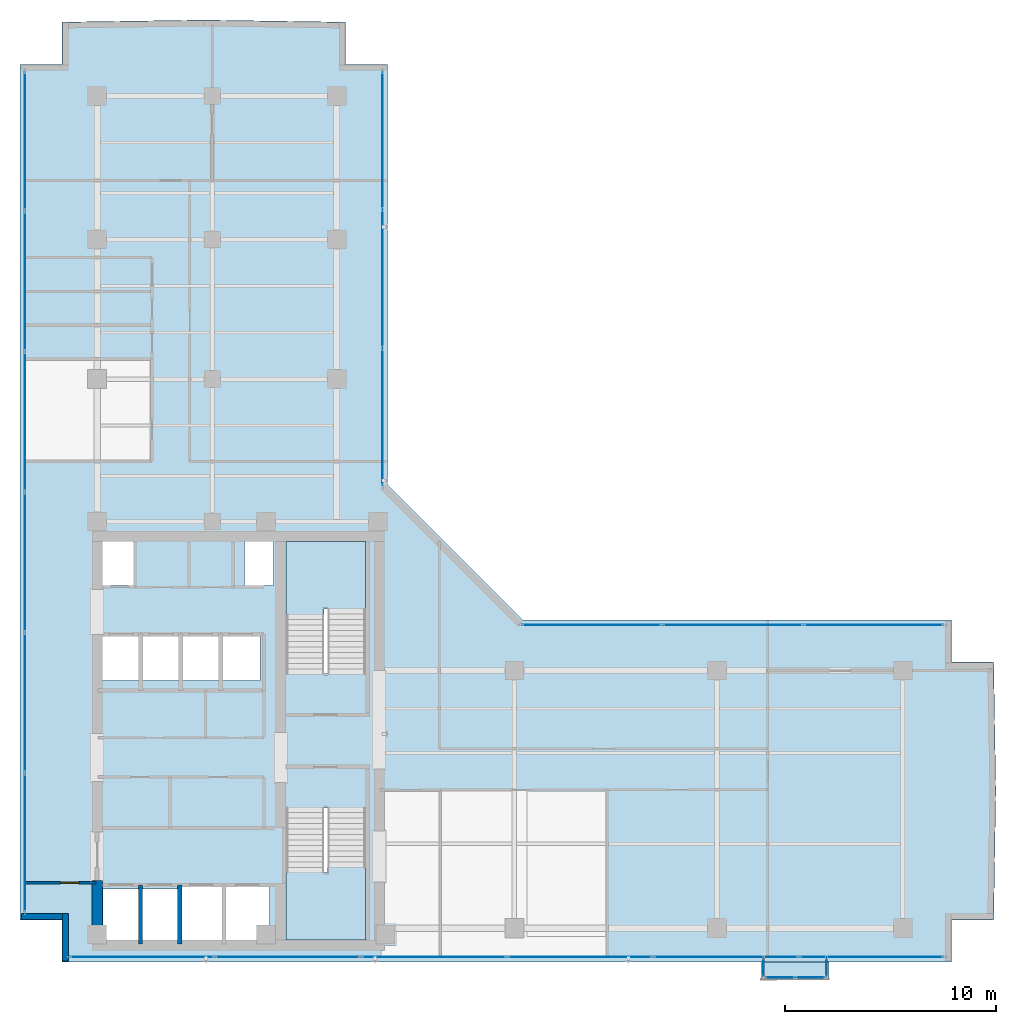
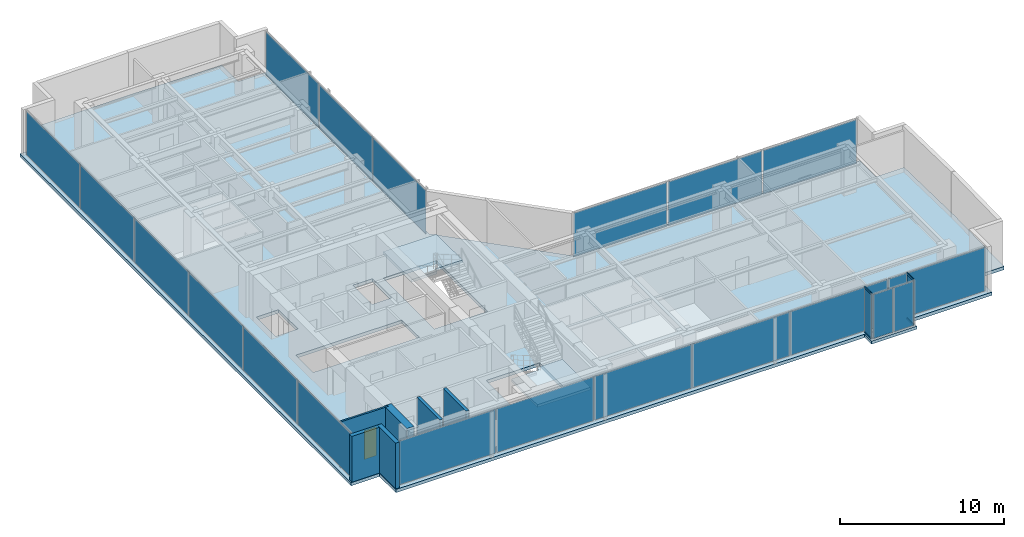
# One storey, part 15 of 23: 22 plates, 6 walls, 4 members, 4 slabs, 1 door, 1 opening, 9 elements without a shape of their own.
"""IFC4 building model written with IfcOpenShell, lengths in metres."""

from ifc_helpers import new_model, si_unit, direction, frame, frame_2d, origin, origin_with_axes, origin_2d, place, context, subcontext, project, spatial, polyline, rectangle, hollow_rectangle, outline, extrude, source, transform, mapped, material, layer, layer_set, material_profile, profile_set, type_object, element, fill, aggregate, save


model = new_model("IFC4")

# Units and contexts
model_context = context("Model", 3, precision=1e-05, world=origin(), true_north=direction((0.0, 1.0)))
body_context = subcontext(model_context, "Body", "Model", "MODEL_VIEW")
ifc_project = project(units=[si_unit("LENGTHUNIT", "METRE"), si_unit("AREAUNIT", "SQUARE_METRE"), si_unit("VOLUMEUNIT", "CUBIC_METRE"), si_unit("PLANEANGLEUNIT", "RADIAN"), si_unit("MASSUNIT", "GRAM", prefix="KILO")], contexts=[model_context])

# Site, building, storey
site_placement = place(None, origin())
site = spatial("IfcSite", under=ifc_project, at=site_placement, CompositionType="ELEMENT")
building_placement = place(site_placement, origin())
building = spatial("IfcBuilding", under=site, at=building_placement, Name="Kolvaren Waterfront Exchange", CompositionType="ELEMENT")
storey_placement = place(building_placement, frame((0.0, 0.0, 335.0)))
storey = spatial("IfcBuildingStorey", under=building, at=storey_placement, Name="L86", CompositionType="ELEMENT", Elevation=335.0)

# Curtain wall, members
ifc_material_1 = material(Name="Anodised bronze aluminium 6063-T6", Category="aluminium")
ifc_layer_1 = layer(ifc_material_1, 0.219970703125, Name="Anodised bronze aluminium 6063-T6")
ifc_layer_set_1 = layer_set([ifc_layer_1], Name="Anodised bronze aluminium 6063-T6")
curtain_wall_type_1 = type_object("IfcCurtainWallType", Name="ARC-CW-SYS3", PredefinedType="USERDEFINED", material=ifc_layer_set_1)
curtain_wall_1_placement = place(storey_placement, origin())
curtain_wall_1 = element("IfcCurtainWall", 1, at=curtain_wall_1_placement, inside=storey, type_object=curtain_wall_type_1, Name="L86 stick curtain wall CW3 (CW-L86-BOX-W)", ObjectType="STICK CURTAIN WALL", PredefinedType="USERDEFINED")
ifc_material_profile = material_profile(ifc_material_1, hollow_rectangle(XDim=0.06494140625, YDim=0.1298828125, WallThickness=0.00390625, at=origin_2d()), Name="ALU-TRN-130x65x4")
ifc_profile_set = profile_set([ifc_material_profile], Name="Anodised bronze aluminium 6063-T6")
member_type = type_object("IfcMemberType", Name="ARC-CWT-130", PredefinedType="USERDEFINED", material=ifc_profile_set)
shared_shape_1 = source(origin_with_axes(), body_context, "Body", "SweptSolid", [
    extrude(hollow_rectangle(XDim=0.06494140625, YDim=0.1298828125, WallThickness=0.00390625, at=origin_2d()), origin(), (0.0, 0.0, 1.0), 0.829833984375),
])
member_1_placement = place(storey_placement, frame((39.010009765625, 3.764892578125, 0.032470703125), z_axis=(0.0, -1.0, 0.0), x_axis=(1.0, 0.0, 0.0)))
member_1 = element("IfcMember", 2, at=member_1_placement, type_object=member_type, Name="CW3 transom 1.1", ObjectType="TRANSOM", PredefinedType="USERDEFINED", context=body_context, shape_type="MappedRepresentation", body=[
    mapped(shared_shape_1, transform((0.0, 0.0, 0.0), x_axis=(1.0, 0.0, 0.0), y_axis=(0.0, 1.0, 0.0), z_axis=(0.0, 0.0, 1.0), scale=1.0)),
])
member_2_placement = place(storey_placement, frame((39.010009765625, 3.764892578125, 3.387451171875), z_axis=(0.0, -1.0, 0.0), x_axis=(1.0, 0.0, 0.0)))
member_2 = element("IfcMember", 3, at=member_2_placement, type_object=member_type, Name="CW3 transom 1.2", ObjectType="TRANSOM", PredefinedType="USERDEFINED", context=body_context, shape_type="MappedRepresentation", body=[
    mapped(shared_shape_1, transform((0.0, 0.0, 0.0), x_axis=(1.0, 0.0, 0.0), y_axis=(0.0, 1.0, 0.0), z_axis=(0.0, 0.0, 1.0), scale=1.0)),
])

curtain_wall_2_placement = place(storey_placement, origin())
curtain_wall_2 = element("IfcCurtainWall", 4, at=curtain_wall_2_placement, inside=storey, type_object=curtain_wall_type_1, Name="L86 stick curtain wall CW3 (CW-L86-BOX-E)", ObjectType="STICK CURTAIN WALL", PredefinedType="USERDEFINED")
member_3_placement = place(storey_placement, frame((41.989990234375, 2.93505859375, 0.032470703125), z_axis=(0.0, 1.0, 0.0), x_axis=(-1.0, 0.0, 0.0)))
member_3 = element("IfcMember", 5, at=member_3_placement, type_object=member_type, Name="CW3 transom 1.1", ObjectType="TRANSOM", PredefinedType="USERDEFINED", context=body_context, shape_type="MappedRepresentation", body=[
    mapped(shared_shape_1, transform((0.0, 0.0, 0.0), x_axis=(1.0, 0.0, 0.0), y_axis=(0.0, 1.0, 0.0), z_axis=(0.0, 0.0, 1.0), scale=1.0)),
])
member_4_placement = place(storey_placement, frame((41.989990234375, 2.93505859375, 3.387451171875), z_axis=(0.0, 1.0, 0.0), x_axis=(-1.0, 0.0, 0.0)))
member_4 = element("IfcMember", 6, at=member_4_placement, type_object=member_type, Name="CW3 transom 1.2", ObjectType="TRANSOM", PredefinedType="USERDEFINED", context=body_context, shape_type="MappedRepresentation", body=[
    mapped(shared_shape_1, transform((0.0, 0.0, 0.0), x_axis=(1.0, 0.0, 0.0), y_axis=(0.0, 1.0, 0.0), z_axis=(0.0, 0.0, 1.0), scale=1.0)),
])

# Stair, slab
ifc_material_2 = material(Name="Concrete C40/50", Category="concrete")
stair_type = type_object("IfcStairType", Name="ARC-STAIR-3800", PredefinedType="HALF_TURN_STAIR", material=ifc_material_2)
stair_1_placement = place(storey_placement, origin())
stair_1 = element("IfcStair", 7, at=stair_1_placement, inside=storey, type_object=stair_type, Name="L86 Smoke-proof exit stair ST1", PredefinedType="HALF_TURN_STAIR")
ifc_layer_2 = layer(ifc_material_2, 0.199951171875, Name="Concrete C40/50")
ifc_layer_set_2 = layer_set([ifc_layer_2], Name="Concrete C40/50")
slab_type_1 = type_object("IfcSlabType", Name="STR-LANDING-200", PredefinedType="LANDING", material=ifc_layer_set_2)
slab_1_placement = place(storey_placement, frame((0.0, 0.0, 1.77587890625)))
slab_1 = element("IfcSlab", 8, at=slab_1_placement, type_object=slab_type_1, Name="ST1 landing 1", PredefinedType="LANDING", context=body_context, shape_type="SweptSolid", body=[
    extrude(outline(polyline([(16.39990234375, 7.840087890625), (16.39990234375, 4.64990234375), (20.159912109375, 4.64990234375), (20.159912109375, 8.10009765625), (18.360107421875, 8.10009765625), (18.360107421875, 7.840087890625), (16.39990234375, 7.840087890625)])), origin(), (0.0, 0.0, 1.0), 0.2001953125),
])
aggregate(stair_1, [slab_1])

stair_2_placement = place(storey_placement, origin())
stair_2 = element("IfcStair", 9, at=stair_2_placement, inside=storey, type_object=stair_type, Name="L86 Smoke-proof exit stair ST2", PredefinedType="HALF_TURN_STAIR")
slab_2_placement = place(storey_placement, frame((0.0, 0.0, 1.77587890625)))
slab_2 = element("IfcSlab", 10, at=slab_2_placement, type_object=slab_type_1, Name="ST2 landing 1", PredefinedType="LANDING", context=body_context, shape_type="SweptSolid", body=[
    extrude(outline(polyline([(20.159912109375, 20.31005859375), (20.159912109375, 23.5), (16.39990234375, 23.5), (16.39990234375, 20.050048828125), (18.199951171875, 20.050048828125), (18.199951171875, 20.31005859375), (20.159912109375, 20.31005859375)])), origin(), (0.0, 0.0, 1.0), 0.2001953125),
])
aggregate(stair_2, [slab_2])

# Slabs
ifc_layer_3 = layer(ifc_material_2, 0.239990234375, Name="Concrete C40/50")
ifc_layer_set_3 = layer_set([ifc_layer_3], Name="Concrete C40/50")
slab_type_2 = type_object("IfcSlabType", Name="STR-SLAB-240", PredefinedType="FLOOR", material=ifc_layer_set_3)
slab_3_placement = place(storey_placement, frame((0.0, 0.0, -0.239990234375)))
element("IfcSlab", 11, at=slab_3_placement, inside=storey, type_object=slab_type_2, Name="L86 structural floor slab", PredefinedType="FLOOR", context=body_context, shape_type="SweptSolid", body=[
    extrude(outline(polyline([(5.800048828125, 3.60009765625), (47.89990234375, 3.60009765625), (47.89990234375, 5.60009765625), (49.89990234375, 5.60009765625), (50.0, 11.699951171875), (49.89990234375, 17.800048828125), (47.89990234375, 17.800048828125), (47.89990234375, 19.800048828125), (27.60009765625, 19.800048828125), (21.199951171875, 26.199951171875), (21.199951171875, 46.10009765625), (19.199951171875, 46.10009765625), (19.199951171875, 48.10009765625), (12.5, 48.199951171875), (5.800048828125, 48.10009765625), (5.800048828125, 46.10009765625), (3.800048828125, 46.10009765625), (3.800048828125, 5.60009765625), (5.800048828125, 5.60009765625), (5.800048828125, 3.60009765625)]), holes=[polyline([(11.320068359375, 7.260009765625), (15.610107421875, 7.260009765625), (15.610107421875, 4.5400390625), (7.719970703125, 4.5400390625), (7.719970703125, 7.06005859375), (11.320068359375, 7.06005859375), (11.320068359375, 7.260009765625)]), polyline([(20.159912109375, 10.89990234375), (20.159912109375, 4.64990234375), (16.39990234375, 4.64990234375), (16.39990234375, 10.89990234375), (20.159912109375, 10.89990234375)]), polyline([(7.669921875, 19.06005859375), (15.159912109375, 19.06005859375), (15.159912109375, 16.93994140625), (7.669921875, 16.93994140625), (7.669921875, 19.06005859375)]), polyline([(16.39990234375, 17.25), (16.39990234375, 23.5), (20.159912109375, 23.5), (20.159912109375, 17.25), (16.39990234375, 17.25)]), polyline([(7.60009765625, 23.780029296875), (9.179931640625, 23.780029296875), (9.179931640625, 21.419921875), (7.60009765625, 21.419921875), (7.60009765625, 23.780029296875)]), polyline([(14.419921875, 23.780029296875), (15.800048828125, 23.780029296875), (15.800048828125, 21.419921875), (14.419921875, 21.419921875), (14.419921875, 23.780029296875)])]), origin(), (0.0, 0.0, 1.0), 0.239990234375),
])
ifc_layer_4 = layer(ifc_material_2, 0.219970703125, Name="Concrete C40/50")
ifc_layer_set_4 = layer_set([ifc_layer_4], Name="Concrete C40/50")
slab_type_3 = type_object("IfcSlabType", Name="STR-TERR-220", PredefinedType="FLOOR", material=ifc_layer_set_4)
slab_4_placement = place(storey_placement, frame((0.0, 0.0, -0.219970703125)))
element("IfcSlab", 12, at=slab_4_placement, inside=storey, type_object=slab_type_3, Name="L86 projecting bay-box floor strip", PredefinedType="FLOOR", context=body_context, shape_type="SweptSolid", body=[
    extrude(outline(polyline([(38.89990234375, 2.75), (42.10009765625, 2.75), (42.10009765625, 3.60009765625), (38.89990234375, 3.60009765625), (38.89990234375, 2.75)])), origin(), (0.0, 0.0, 1.0), 0.219970703125),
])

# Plate
ifc_material_3 = material(Name="Bronze tinted bay-box vision glass", Category="aluminium")
ifc_layer_5 = layer(ifc_material_3, 0.02392578125, Name="Bronze tinted bay-box vision glass")
ifc_layer_set_5 = layer_set([ifc_layer_5], Name="Bronze tinted bay-box vision glass")
plate_type_1 = type_object("IfcPlateType", Name="ARC-CWP-24", PredefinedType="CURTAIN_PANEL", material=ifc_layer_set_5)
shared_shape_2 = source(origin_with_axes(), body_context, "Body", "SweptSolid", [
    extrude(rectangle(XDim=0.830078125, YDim=0.02392578125, at=origin_2d()), origin(), (0.0, 0.0, 1.0), 3.2900390625),
])
plate_1_placement = place(storey_placement, frame((39.010009765625, 3.35009765625, 0.06494140625), z_axis=(0.0, 0.0, 1.0), x_axis=(0.0, -1.0, 0.0)))
plate_1 = element("IfcPlate", 13, at=plate_1_placement, type_object=plate_type_1, Name="CW3 panel 1.1", PredefinedType="CURTAIN_PANEL", context=body_context, shape_type="MappedRepresentation", body=[
    mapped(shared_shape_2, transform((0.0, 0.0, 0.0), x_axis=(1.0, 0.0, 0.0), y_axis=(0.0, 1.0, 0.0), z_axis=(0.0, 0.0, 1.0), scale=1.0)),
])

aggregate(curtain_wall_1, [member_1, member_2, plate_1])

plate_2_placement = place(storey_placement, frame((41.989990234375, 3.35009765625, 0.06494140625), z_axis=(0.0, 0.0, 1.0), x_axis=(0.0, 1.0, 0.0)))
plate_2 = element("IfcPlate", 14, at=plate_2_placement, type_object=plate_type_1, Name="CW3 panel 1.1", PredefinedType="CURTAIN_PANEL", context=body_context, shape_type="MappedRepresentation", body=[
    mapped(shared_shape_2, transform((0.0, 0.0, 0.0), x_axis=(1.0, 0.0, 0.0), y_axis=(0.0, 1.0, 0.0), z_axis=(0.0, 0.0, 1.0), scale=1.0)),
])

aggregate(curtain_wall_2, [member_3, member_4, plate_2])

# Curtain wall, plates
curtain_wall_3_placement = place(storey_placement, origin())
curtain_wall_3 = element("IfcCurtainWall", 15, at=curtain_wall_3_placement, inside=storey, type_object=curtain_wall_type_1, Name="L86 stick curtain wall CW3 (CW-L86-BOX)", ObjectType="STICK CURTAIN WALL", PredefinedType="USERDEFINED")
shared_shape_3 = source(origin_with_axes(), body_context, "Body", "SweptSolid", [
    extrude(rectangle(XDim=1.37744140625, YDim=0.02392578125, at=origin_2d()), origin(), (0.0, 0.0, 1.0), 3.2900390625),
])
plate_3_placement = place(storey_placement, frame((39.773681640625, 2.860107421875, 0.06494140625), z_axis=(0.0, 0.0, 1.0), x_axis=(1.0, 0.0, 0.0)))
plate_3 = element("IfcPlate", 16, at=plate_3_placement, type_object=plate_type_1, Name="CW3 panel 1.1", PredefinedType="CURTAIN_PANEL", context=body_context, shape_type="MappedRepresentation", body=[
    mapped(shared_shape_3, transform((0.0, 0.0, 0.0), x_axis=(1.0, 0.0, 0.0), y_axis=(0.0, 1.0, 0.0), z_axis=(0.0, 0.0, 1.0), scale=1.0)),
])
plate_4_placement = place(storey_placement, frame((41.226318359375, 2.860107421875, 0.06494140625), z_axis=(0.0, 0.0, 1.0), x_axis=(1.0, 0.0, 0.0)))
plate_4 = element("IfcPlate", 17, at=plate_4_placement, type_object=plate_type_1, Name="CW3 panel 2.1", PredefinedType="CURTAIN_PANEL", context=body_context, shape_type="MappedRepresentation", body=[
    mapped(shared_shape_3, transform((0.0, 0.0, 0.0), x_axis=(1.0, 0.0, 0.0), y_axis=(0.0, 1.0, 0.0), z_axis=(0.0, 0.0, 1.0), scale=1.0)),
])
aggregate(curtain_wall_3, [plate_3, plate_4])

ifc_layer_6 = layer(ifc_material_1, 0.219970703125, Name="Anodised bronze aluminium 6063-T6")
ifc_layer_set_6 = layer_set([ifc_layer_6], Name="Anodised bronze aluminium 6063-T6")
curtain_wall_type_2 = type_object("IfcCurtainWallType", Name="ARC-CW-SYS1", PredefinedType="USERDEFINED", material=ifc_layer_set_6)
curtain_wall_4_placement = place(storey_placement, origin())
curtain_wall_4 = element("IfcCurtainWall", 18, at=curtain_wall_4_placement, inside=storey, type_object=curtain_wall_type_2, Name="L86 stick curtain wall CW1 (CW-L86-S)", ObjectType="STICK CURTAIN WALL", PredefinedType="USERDEFINED")
ifc_material_4 = material(Name="Bronze solar control vision glass", Category="aluminium")
ifc_layer_7 = layer(ifc_material_4, 0.028076171875, Name="Bronze solar control vision glass")
ifc_layer_set_7 = layer_set([ifc_layer_7], Name="Bronze solar control vision glass")
plate_type_2 = type_object("IfcPlateType", Name="ARC-CWP-28", PredefinedType="CURTAIN_PANEL", material=ifc_layer_set_7)
shared_shape_4 = source(origin_with_axes(), body_context, "Body", "SweptSolid", [
    extrude(rectangle(XDim=6.796630859375, YDim=0.028076171875, at=origin_2d()), origin(), (0.0, 0.0, 1.0), 3.27001953125),
])
plate_5_placement = place(storey_placement, frame((9.578369140625, 3.840087890625, 0.074951171875), z_axis=(0.0, 0.0, 1.0), x_axis=(1.0, 0.0, 0.0)))
plate_5 = element("IfcPlate", 19, at=plate_5_placement, type_object=plate_type_2, Name="CW1 panel 1.1", PredefinedType="CURTAIN_PANEL", context=body_context, shape_type="MappedRepresentation", body=[
    mapped(shared_shape_4, transform((0.0, 0.0, 0.0), x_axis=(1.0, 0.0, 0.0), y_axis=(0.0, 1.0, 0.0), z_axis=(0.0, 0.0, 1.0), scale=1.0)),
])
plate_6_placement = place(storey_placement, frame((44.12158203125, 3.840087890625, 0.074951171875), z_axis=(0.0, 0.0, 1.0), x_axis=(1.0, 0.0, 0.0)))
plate_6 = element("IfcPlate", 20, at=plate_6_placement, type_object=plate_type_2, Name="CW1 panel 6.1", PredefinedType="CURTAIN_PANEL", context=body_context, shape_type="MappedRepresentation", body=[
    mapped(shared_shape_4, transform((0.0, 0.0, 0.0), x_axis=(1.0, 0.0, 0.0), y_axis=(0.0, 1.0, 0.0), z_axis=(0.0, 0.0, 1.0), scale=1.0)),
])
shared_shape_5 = source(origin_with_axes(), body_context, "Body", "SweptSolid", [
    extrude(rectangle(XDim=6.836669921875, YDim=0.028076171875, at=origin_2d()), origin(), (0.0, 0.0, 1.0), 3.27001953125),
])
plate_7_placement = place(storey_placement, frame((16.47509765625, 3.840087890625, 0.074951171875), z_axis=(0.0, 0.0, 1.0), x_axis=(1.0, 0.0, 0.0)))
plate_7 = element("IfcPlate", 21, at=plate_7_placement, type_object=plate_type_2, Name="CW1 panel 2.1", PredefinedType="CURTAIN_PANEL", context=body_context, shape_type="MappedRepresentation", body=[
    mapped(shared_shape_5, transform((0.0, 0.0, 0.0), x_axis=(1.0, 0.0, 0.0), y_axis=(0.0, 1.0, 0.0), z_axis=(0.0, 0.0, 1.0), scale=1.0)),
])
plate_8_placement = place(storey_placement, frame((23.3916015625, 3.840087890625, 0.074951171875), z_axis=(0.0, 0.0, 1.0), x_axis=(1.0, 0.0, 0.0)))
plate_8 = element("IfcPlate", 22, at=plate_8_placement, type_object=plate_type_2, Name="CW1 panel 3.1", PredefinedType="CURTAIN_PANEL", context=body_context, shape_type="MappedRepresentation", body=[
    mapped(shared_shape_5, transform((0.0, 0.0, 0.0), x_axis=(1.0, 0.0, 0.0), y_axis=(0.0, 1.0, 0.0), z_axis=(0.0, 0.0, 1.0), scale=1.0)),
])
plate_9_placement = place(storey_placement, frame((30.308349609375, 3.840087890625, 0.074951171875), z_axis=(0.0, 0.0, 1.0), x_axis=(1.0, 0.0, 0.0)))
plate_9 = element("IfcPlate", 23, at=plate_9_placement, type_object=plate_type_2, Name="CW1 panel 4.1", PredefinedType="CURTAIN_PANEL", context=body_context, shape_type="MappedRepresentation", body=[
    mapped(shared_shape_5, transform((0.0, 0.0, 0.0), x_axis=(1.0, 0.0, 0.0), y_axis=(0.0, 1.0, 0.0), z_axis=(0.0, 0.0, 1.0), scale=1.0)),
])
plate_10_placement = place(storey_placement, frame((37.22509765625, 3.840087890625, 0.074951171875), z_axis=(0.0, 0.0, 1.0), x_axis=(1.0, 0.0, 0.0)))
plate_10 = element("IfcPlate", 24, at=plate_10_placement, type_object=plate_type_2, Name="CW1 panel 5.1", PredefinedType="CURTAIN_PANEL", context=body_context, shape_type="MappedRepresentation", body=[
    mapped(shared_shape_5, transform((0.0, 0.0, 0.0), x_axis=(1.0, 0.0, 0.0), y_axis=(0.0, 1.0, 0.0), z_axis=(0.0, 0.0, 1.0), scale=1.0)),
])
aggregate(curtain_wall_4, [plate_5, plate_7, plate_8, plate_9, plate_10, plate_6])

ifc_material_5 = material(Name="Anodised aluminium 6063-T6", Category="aluminium")
ifc_layer_8 = layer(ifc_material_5, 0.219970703125, Name="Anodised aluminium 6063-T6")
ifc_layer_set_8 = layer_set([ifc_layer_8], Name="Anodised aluminium 6063-T6")
curtain_wall_type_3 = type_object("IfcCurtainWallType", Name="ARC-CW-SYS2", PredefinedType="USERDEFINED", material=ifc_layer_set_8)
curtain_wall_5_placement = place(storey_placement, origin())
curtain_wall_5 = element("IfcCurtainWall", 25, at=curtain_wall_5_placement, inside=storey, type_object=curtain_wall_type_3, Name="L86 stick curtain wall CW2 (CW-L86-W)", ObjectType="STICK CURTAIN WALL", PredefinedType="USERDEFINED")
ifc_material_6 = material(Name="Acoustic laminated vision glass", Category="glass")
ifc_layer_9 = layer(ifc_material_6, 0.031982421875, Name="Acoustic laminated vision glass")
ifc_layer_set_9 = layer_set([ifc_layer_9], Name="Acoustic laminated vision glass")
plate_type_3 = type_object("IfcPlateType", Name="ARC-CWP-32", PredefinedType="CURTAIN_PANEL", material=ifc_layer_set_9)
shared_shape_6 = source(origin_with_axes(), body_context, "Body", "SweptSolid", [
    extrude(rectangle(XDim=6.530029296875, YDim=0.031982421875, at=origin_2d()), origin(), (0.0, 0.0, 1.0), 3.27001953125),
])
plate_11_placement = place(storey_placement, frame((4.0400390625, 9.2451171875, 0.074951171875), z_axis=(0.0, 0.0, 1.0), x_axis=(0.0, 1.0, 0.0)))
plate_11 = element("IfcPlate", 26, at=plate_11_placement, type_object=plate_type_3, Name="CW2 panel 1.1", PredefinedType="CURTAIN_PANEL", context=body_context, shape_type="MappedRepresentation", body=[
    mapped(shared_shape_6, transform((0.0, 0.0, 0.0), x_axis=(1.0, 0.0, 0.0), y_axis=(0.0, 1.0, 0.0), z_axis=(0.0, 0.0, 1.0), scale=1.0)),
])
plate_12_placement = place(storey_placement, frame((4.0400390625, 42.455078125, 0.074951171875), z_axis=(0.0, 0.0, 1.0), x_axis=(0.0, 1.0, 0.0)))
plate_12 = element("IfcPlate", 27, at=plate_12_placement, type_object=plate_type_3, Name="CW2 panel 6.1", PredefinedType="CURTAIN_PANEL", context=body_context, shape_type="MappedRepresentation", body=[
    mapped(shared_shape_6, transform((0.0, 0.0, 0.0), x_axis=(1.0, 0.0, 0.0), y_axis=(0.0, 1.0, 0.0), z_axis=(0.0, 0.0, 1.0), scale=1.0)),
])
shared_shape_7 = source(origin_with_axes(), body_context, "Body", "SweptSolid", [
    extrude(rectangle(XDim=6.570068359375, YDim=0.031982421875, at=origin_2d()), origin(), (0.0, 0.0, 1.0), 3.27001953125),
])
plate_13_placement = place(storey_placement, frame((4.0400390625, 15.875, 0.074951171875), z_axis=(0.0, 0.0, 1.0), x_axis=(0.0, 1.0, 0.0)))
plate_13 = element("IfcPlate", 28, at=plate_13_placement, type_object=plate_type_3, Name="CW2 panel 2.1", PredefinedType="CURTAIN_PANEL", context=body_context, shape_type="MappedRepresentation", body=[
    mapped(shared_shape_7, transform((0.0, 0.0, 0.0), x_axis=(1.0, 0.0, 0.0), y_axis=(0.0, 1.0, 0.0), z_axis=(0.0, 0.0, 1.0), scale=1.0)),
])
plate_14_placement = place(storey_placement, frame((4.0400390625, 22.52490234375, 0.074951171875), z_axis=(0.0, 0.0, 1.0), x_axis=(0.0, 1.0, 0.0)))
plate_14 = element("IfcPlate", 29, at=plate_14_placement, type_object=plate_type_3, Name="CW2 panel 3.1", PredefinedType="CURTAIN_PANEL", context=body_context, shape_type="MappedRepresentation", body=[
    mapped(shared_shape_7, transform((0.0, 0.0, 0.0), x_axis=(1.0, 0.0, 0.0), y_axis=(0.0, 1.0, 0.0), z_axis=(0.0, 0.0, 1.0), scale=1.0)),
])
plate_15_placement = place(storey_placement, frame((4.0400390625, 29.175048828125, 0.074951171875), z_axis=(0.0, 0.0, 1.0), x_axis=(0.0, 1.0, 0.0)))
plate_15 = element("IfcPlate", 30, at=plate_15_placement, type_object=plate_type_3, Name="CW2 panel 4.1", PredefinedType="CURTAIN_PANEL", context=body_context, shape_type="MappedRepresentation", body=[
    mapped(shared_shape_7, transform((0.0, 0.0, 0.0), x_axis=(1.0, 0.0, 0.0), y_axis=(0.0, 1.0, 0.0), z_axis=(0.0, 0.0, 1.0), scale=1.0)),
])
plate_16_placement = place(storey_placement, frame((4.0400390625, 35.824951171875, 0.074951171875), z_axis=(0.0, 0.0, 1.0), x_axis=(0.0, 1.0, 0.0)))
plate_16 = element("IfcPlate", 31, at=plate_16_placement, type_object=plate_type_3, Name="CW2 panel 5.1", PredefinedType="CURTAIN_PANEL", context=body_context, shape_type="MappedRepresentation", body=[
    mapped(shared_shape_7, transform((0.0, 0.0, 0.0), x_axis=(1.0, 0.0, 0.0), y_axis=(0.0, 1.0, 0.0), z_axis=(0.0, 0.0, 1.0), scale=1.0)),
])
aggregate(curtain_wall_5, [plate_11, plate_13, plate_14, plate_15, plate_16, plate_12])

curtain_wall_6_placement = place(storey_placement, origin())
curtain_wall_6 = element("IfcCurtainWall", 32, at=curtain_wall_6_placement, inside=storey, type_object=curtain_wall_type_2, Name="L86 stick curtain wall CW1 (CW-L86-NE)", ObjectType="STICK CURTAIN WALL", PredefinedType="USERDEFINED")
shared_shape_8 = source(origin_with_axes(), body_context, "Body", "SweptSolid", [
    extrude(rectangle(XDim=6.449951171875, YDim=0.028076171875, at=origin_2d()), origin(), (0.0, 0.0, 1.0), 3.27001953125),
])
plate_17_placement = place(storey_placement, frame((20.9599609375, 29.39501953125, 0.074951171875), z_axis=(0.0, 0.0, 1.0), x_axis=(0.0, 1.0, 0.0)))
plate_17 = element("IfcPlate", 33, at=plate_17_placement, type_object=plate_type_2, Name="CW1 panel 1.1", PredefinedType="CURTAIN_PANEL", context=body_context, shape_type="MappedRepresentation", body=[
    mapped(shared_shape_8, transform((0.0, 0.0, 0.0), x_axis=(1.0, 0.0, 0.0), y_axis=(0.0, 1.0, 0.0), z_axis=(0.0, 0.0, 1.0), scale=1.0)),
])
plate_18_placement = place(storey_placement, frame((20.9599609375, 42.4951171875, 0.074951171875), z_axis=(0.0, 0.0, 1.0), x_axis=(0.0, 1.0, 0.0)))
plate_18 = element("IfcPlate", 34, at=plate_18_placement, type_object=plate_type_2, Name="CW1 panel 3.1", PredefinedType="CURTAIN_PANEL", context=body_context, shape_type="MappedRepresentation", body=[
    mapped(shared_shape_8, transform((0.0, 0.0, 0.0), x_axis=(1.0, 0.0, 0.0), y_axis=(0.0, 1.0, 0.0), z_axis=(0.0, 0.0, 1.0), scale=1.0)),
])
shared_shape_9 = source(origin_with_axes(), body_context, "Body", "SweptSolid", [
    extrude(rectangle(XDim=6.489990234375, YDim=0.028076171875, at=origin_2d()), origin(), (0.0, 0.0, 1.0), 3.27001953125),
])
plate_19_placement = place(storey_placement, frame((20.9599609375, 35.945068359375, 0.074951171875), z_axis=(0.0, 0.0, 1.0), x_axis=(0.0, 1.0, 0.0)))
plate_19 = element("IfcPlate", 35, at=plate_19_placement, type_object=plate_type_2, Name="CW1 panel 2.1", PredefinedType="CURTAIN_PANEL", context=body_context, shape_type="MappedRepresentation", body=[
    mapped(shared_shape_9, transform((0.0, 0.0, 0.0), x_axis=(1.0, 0.0, 0.0), y_axis=(0.0, 1.0, 0.0), z_axis=(0.0, 0.0, 1.0), scale=1.0)),
])
aggregate(curtain_wall_6, [plate_17, plate_19, plate_18])

curtain_wall_7_placement = place(storey_placement, origin())
curtain_wall_7 = element("IfcCurtainWall", 36, at=curtain_wall_7_placement, inside=storey, type_object=curtain_wall_type_2, Name="L86 stick curtain wall CW1 (CW-L86-EN)", ObjectType="STICK CURTAIN WALL", PredefinedType="USERDEFINED")
shared_shape_10 = source(origin_with_axes(), body_context, "Body", "SweptSolid", [
    extrude(rectangle(XDim=6.583251953125, YDim=0.028076171875, at=origin_2d()), origin(), (0.0, 0.0, 1.0), 3.27001953125),
])
plate_20_placement = place(storey_placement, frame((30.861572265625, 19.56005859375, 0.074951171875), z_axis=(0.0, 0.0, 1.0), x_axis=(1.0, 0.0, 0.0)))
plate_20 = element("IfcPlate", 37, at=plate_20_placement, type_object=plate_type_2, Name="CW1 panel 1.1", PredefinedType="CURTAIN_PANEL", context=body_context, shape_type="MappedRepresentation", body=[
    mapped(shared_shape_10, transform((0.0, 0.0, 0.0), x_axis=(1.0, 0.0, 0.0), y_axis=(0.0, 1.0, 0.0), z_axis=(0.0, 0.0, 1.0), scale=1.0)),
])
plate_21_placement = place(storey_placement, frame((44.228271484375, 19.56005859375, 0.074951171875), z_axis=(0.0, 0.0, 1.0), x_axis=(1.0, 0.0, 0.0)))
plate_21 = element("IfcPlate", 38, at=plate_21_placement, type_object=plate_type_2, Name="CW1 panel 3.1", PredefinedType="CURTAIN_PANEL", context=body_context, shape_type="MappedRepresentation", body=[
    mapped(shared_shape_10, transform((0.0, 0.0, 0.0), x_axis=(1.0, 0.0, 0.0), y_axis=(0.0, 1.0, 0.0), z_axis=(0.0, 0.0, 1.0), scale=1.0)),
])
shared_shape_11 = source(origin_with_axes(), body_context, "Body", "SweptSolid", [
    extrude(rectangle(XDim=6.623291015625, YDim=0.028076171875, at=origin_2d()), origin(), (0.0, 0.0, 1.0), 3.27001953125),
])
plate_22_placement = place(storey_placement, frame((37.544921875, 19.56005859375, 0.074951171875), z_axis=(0.0, 0.0, 1.0), x_axis=(1.0, 0.0, 0.0)))
plate_22 = element("IfcPlate", 39, at=plate_22_placement, type_object=plate_type_2, Name="CW1 panel 2.1", PredefinedType="CURTAIN_PANEL", context=body_context, shape_type="MappedRepresentation", body=[
    mapped(shared_shape_11, transform((0.0, 0.0, 0.0), x_axis=(1.0, 0.0, 0.0), y_axis=(0.0, 1.0, 0.0), z_axis=(0.0, 0.0, 1.0), scale=1.0)),
])
aggregate(curtain_wall_7, [plate_20, plate_22, plate_21])

# Walls
ifc_material_7 = material(Name="Precast concrete C40/50", Category="concrete")
ifc_layer_10 = layer(ifc_material_7, 0.280029296875, Name="Precast concrete C40/50")
ifc_layer_set_10 = layer_set([ifc_layer_10], Name="Precast concrete C40/50")
wall_type_1 = type_object("IfcWallType", Name="ARC-EXT-TERR-280", PredefinedType="SOLIDWALL", material=ifc_layer_set_10)
wall_1_placement = place(storey_placement, frame((5.9599609375, 3.659912109375, 0.0), z_axis=(0.0, 0.0, 1.0), x_axis=(0.0, 1.0, 0.0)))
element("IfcWall", 40, at=wall_1_placement, inside=storey, type_object=wall_type_1, Name="L86 notched corner spandrel pier SW-A", PredefinedType="SOLIDWALL", context=body_context, shape_type="SweptSolid", body=[
    extrude(rectangle(XDim=2.239990234375, YDim=0.280029296875, at=frame_2d((1.1201171875, 0.0))), origin(), (0.0, 0.0, 1.0), 3.419921875),
])
wall_2_placement = place(storey_placement, frame((3.860107421875, 5.760009765625, 0.0), z_axis=(0.0, 0.0, 1.0), x_axis=(1.0, 0.0, 0.0)))
element("IfcWall", 41, at=wall_2_placement, inside=storey, type_object=wall_type_1, Name="L86 notched corner spandrel pier SW-B", PredefinedType="SOLIDWALL", context=body_context, shape_type="SweptSolid", body=[
    extrude(rectangle(XDim=1.9599609375, YDim=0.280029296875, at=frame_2d((0.97998046875, 0.0))), origin(), (0.0, 0.0, 1.0), 3.419921875),
])

# Wall, opening, door
ifc_material_8 = material(Name="Acoustic gypsum steel stud", Category="steel")
ifc_layer_11 = layer(ifc_material_8, 0.125, Name="Acoustic gypsum steel stud")
ifc_layer_set_11 = layer_set([ifc_layer_11], Name="Acoustic gypsum steel stud")
wall_type_2 = type_object("IfcWallType", Name="ARC-PART-125", PredefinedType="PARTITIONING", material=ifc_layer_set_11)
wall_3_placement = place(storey_placement, frame((4.0400390625, 7.35009765625, 0.0), z_axis=(0.0, 0.0, 1.0), x_axis=(1.0, 0.0, 0.0)))
wall_3 = element("IfcWall", 42, at=wall_3_placement, inside=storey, type_object=wall_type_2, Name="L86 interior wall PW-L86-SWC-N", PredefinedType="PARTITIONING", context=body_context, shape_type="SweptSolid", body=[
    extrude(rectangle(XDim=3.35986328125, YDim=0.125, at=frame_2d((1.679931640625, 0.0))), origin(), (0.0, 0.0, 1.0), 3.419921875),
])
opening_placement = place(wall_3_placement, frame((1.686767578125, 0.0, 0.0)))
opening = element("IfcOpeningElement", 43, at=opening_placement, cuts=wall_3, Name="Opening D01", PredefinedType="OPENING", context=body_context, shape_type="SweptSolid", body=[
    extrude(rectangle(XDim=0.85009765625, YDim=2.14990234375, at=frame_2d((0.425048828125, 1.074951171875))), frame((0.0, 0.072509765625, 0.0), z_axis=(0.0, -1.0, 0.0), x_axis=(1.0, 0.0, 0.0)), (0.0, 0.0, 1.0), 0.14501953125),
])
ifc_material_9 = material(Name="Oak veneer timber leaf", Category="wood")
door_type = type_object("IfcDoorType", Name="ARC-DR-900", OperationType="NOTDEFINED", PredefinedType="DOOR", material=ifc_material_9)
door_placement = place(opening_placement, origin())
door = element("IfcDoor", 44, at=door_placement, inside=storey, type_object=door_type, Name="L86 door DR-L86-SWC-D (D01)", OperationType="SINGLE_SWING_RIGHT", OverallHeight=2.14990234375, OverallWidth=0.85009765625, PredefinedType="DOOR", context=body_context, shape_type="SweptSolid", body=[
    extrude(rectangle(XDim=0.85009765625, YDim=2.14990234375, at=frame_2d((0.425048828125, 1.074951171875))), frame((0.0, 0.02490234375, 0.0), z_axis=(0.0, -1.0, 0.0), x_axis=(1.0, 0.0, 0.0)), (0.0, 0.0, 1.0), 0.050048828125),
])
fill(opening, door)

# Walls
ifc_layer_12 = layer(ifc_material_2, 0.199951171875, Name="Concrete C40/50")
ifc_layer_set_12 = layer_set([ifc_layer_12], Name="Concrete C40/50")
wall_type_3 = type_object("IfcWallType", Name="ARC-SHAFT-200", PredefinedType="PARTITIONING", material=ifc_layer_set_12)
for number, where, z_axis, x_axis, name in (
    (45, (9.5, 4.449951171875, 0.0), (0.0, 0.0, 1.0), (0.0, 1.0, 0.0), "L86 interior wall PW-L86-SH1-DIV-95"),
    (46, (11.360107421875, 4.449951171875, 0.0), (0.0, 0.0, 1.0), (0.0, 1.0, 0.0), "L86 interior wall PW-L86-SH1-DIV-113"),
):
    element("IfcWall", number, at=place(storey_placement, frame(where, z_axis=z_axis, x_axis=x_axis)), inside=storey, type_object=wall_type_3, Name=name, PredefinedType="PARTITIONING", context=body_context, shape_type="SweptSolid", body=[
        extrude(rectangle(XDim=2.800048828125, YDim=0.199951171875, at=frame_2d((1.39990234375, 0.0))), origin(), (0.0, 0.0, 1.0), 3.419921875),
    ])
ifc_material_10 = material(Name="Concrete C50/60", Category="concrete")
ifc_layer_13 = layer(ifc_material_10, 0.5, Name="Concrete C50/60")
ifc_layer_set_13 = layer_set([ifc_layer_13], Name="Concrete C50/60")
wall_type_4 = type_object("IfcWallType", Name="STR-CWALL-500", PredefinedType="SHEAR", material=ifc_layer_set_13)
wall_4_placement = place(storey_placement, frame((7.449951171875, 4.64990234375, 0.0), z_axis=(0.0, 0.0, 1.0), x_axis=(0.0, 1.0, 0.0)))
element("IfcWall", 47, at=wall_4_placement, inside=storey, type_object=wall_type_4, Name="L86 rear-core shear wall W1", PredefinedType="SHEAR", context=body_context, shape_type="SweptSolid", body=[
    extrude(rectangle(XDim=2.800048828125, YDim=0.5, at=frame_2d((1.39990234375, 0.0))), origin(), (0.0, 0.0, 1.0), 3.419921875),
])

save(model, "model.ifc")
